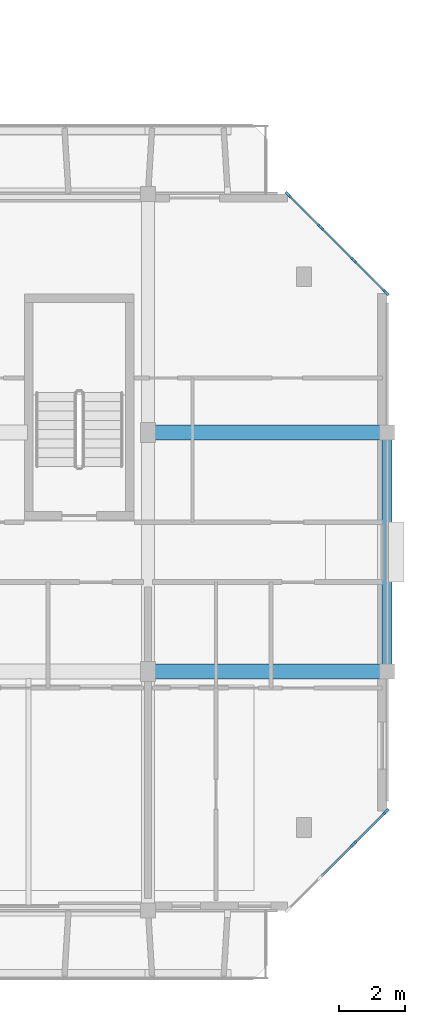
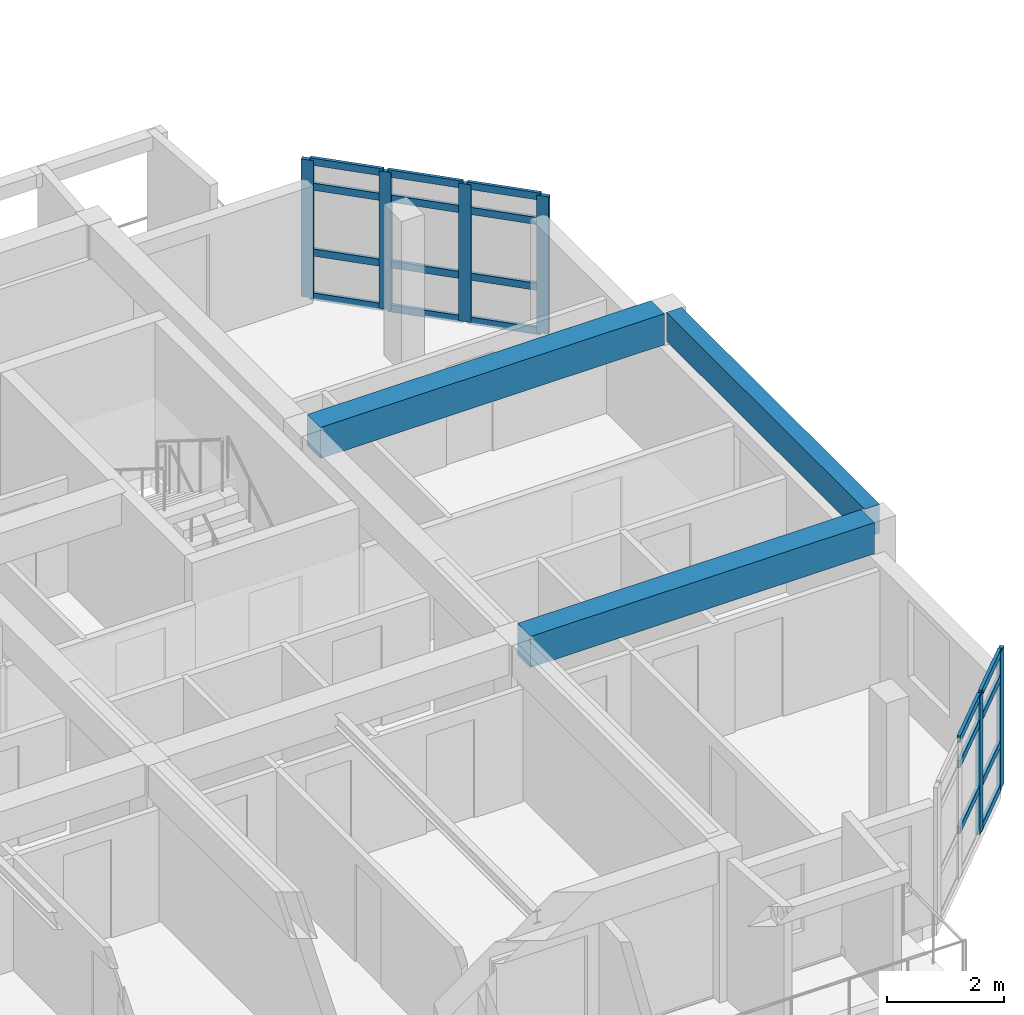
# One storey, part 6 of 30: 25 members, 3 beams, 2 elements without a shape of their own.
"""IFC4 building model written with IfcOpenShell, lengths in metres."""

import ifcopenshell
import ifcopenshell.guid

model = None  # the IFC model being written
_history = None  # IfcOwnerHistory: only IFC2X3 demands one
_inside = {}  # id of a spatial element -> (the spatial element, [elements in it])
_under = {}  # id of a project, library or spatial element -> (it, [spatial elements below it])
_declared = {}  # id of a project -> (the project, [libraries it declares])
_typed = {}  # id of a type object -> (the type object, [elements of that type])
_made_of = {}  # id of a material, layer set ... -> (it, [elements and type objects made of it])


def new_model(schema):
    """Start an empty IFC model of exactly this schema.

    Asked for "IFC4X3", IfcOpenShell would pick the latest addendum, in which some entities
    have other attributes; the version numbers below select the first issue.
    IFC2X3 requires an IfcOwnerHistory on every rooted entity: one is made here for all.
    """
    global model, _history
    if schema == "IFC4X3":
        model = ifcopenshell.file(schema_version=(4, 3, 0, 0))
    else:
        model = ifcopenshell.file(schema=schema)
    _inside.clear()
    _under.clear()
    _declared.clear()
    _typed.clear()
    _made_of.clear()
    _history = None
    if model.schema == "IFC2X3":
        org = make("IfcOrganization", Name="unknown")
        user = make(
            "IfcPersonAndOrganization",
            ThePerson=make("IfcPerson", FamilyName="unknown"),
            TheOrganization=org,
        )
        app = make(
            "IfcApplication",
            ApplicationDeveloper=org,
            Version="unknown",
            ApplicationFullName="unknown",
            ApplicationIdentifier="unknown",
        )
        _history = make(
            "IfcOwnerHistory",
            OwningUser=user,
            OwningApplication=app,
            ChangeAction="ADDED",
            CreationDate=0,
        )
    return model


def make(cls, **values):
    """One entity of the class cls with the attributes given. An attribute that is None is left unset."""
    return model.create_entity(
        cls, **{name: value for name, value in values.items() if value is not None}
    )


def rooted(cls, **values):
    """An entity with a GlobalId (a new one), such as an element, a storey or a relation."""
    return make(cls, GlobalId=ifcopenshell.guid.new(), OwnerHistory=_history, **values)


def si_unit(unit_type, name, prefix=None):
    """IfcSIUnit, for example si_unit("LENGTHUNIT", "METRE", prefix="MILLI")."""
    return make("IfcSIUnit", UnitType=unit_type, Prefix=prefix, Name=name)


def assignment(units):
    """IfcUnitAssignment: the units of a project."""
    return None if units is None else make("IfcUnitAssignment", Units=units)


def point(xyz):
    """IfcCartesianPoint."""
    return None if xyz is None else make("IfcCartesianPoint", Coordinates=xyz)


def direction(xyz):
    """IfcDirection."""
    return None if xyz is None else make("IfcDirection", DirectionRatios=xyz)


def frame(location, z_axis=None, x_axis=None):
    """IfcAxis2Placement3D, a coordinate frame: its origin and axes. An axis left out is left unset."""
    return make(
        "IfcAxis2Placement3D",
        Location=point(location),
        Axis=direction(z_axis),
        RefDirection=direction(x_axis),
    )


def frame_2d(location, x_axis=None):
    """IfcAxis2Placement2D, a coordinate frame in the plane: its origin and x axis."""
    return make(
        "IfcAxis2Placement2D", Location=point(location), RefDirection=direction(x_axis)
    )


def origin():
    """The frame at (0, 0, 0) with its axes left unset."""
    return frame((0.0, 0.0, 0.0))


def origin_2d():
    """The frame at (0, 0) in the plane with its x axis left unset."""
    return frame_2d((0.0, 0.0))


def place(relative_to, where):
    """IfcLocalPlacement: puts the frame where relative to a parent placement (None: the world)."""
    return make(
        "IfcLocalPlacement", PlacementRelTo=relative_to, RelativePlacement=where
    )


def context(
    kind, dimensions, precision=None, world=None, true_north=None, identifier=None
):
    """IfcGeometricRepresentationContext, for example the 3D "Model" context."""
    return make(
        "IfcGeometricRepresentationContext",
        ContextIdentifier=identifier,
        ContextType=kind,
        CoordinateSpaceDimension=dimensions,
        Precision=precision,
        WorldCoordinateSystem=world,
        TrueNorth=true_north,
    )


def subcontext(parent, identifier, kind, view, scale=None):
    """IfcGeometricRepresentationSubContext, for example "Body" below "Model"."""
    return make(
        "IfcGeometricRepresentationSubContext",
        ContextIdentifier=identifier,
        ContextType=kind,
        ParentContext=parent,
        TargetScale=scale,
        TargetView=view,
    )


def project(units=None, contexts=None):
    """IfcProject with its units and contexts."""
    return rooted(
        "IfcProject",
        Name="project",
        RepresentationContexts=contexts,
        UnitsInContext=assignment(units),
    )


def spatial(cls, under=None, at=None, **own):
    """A site, building, storey or space (cls), placed at a placement, below another one or the project."""
    s = rooted(cls, ObjectPlacement=at, **own)
    if under is not None:
        _under.setdefault(under.id(), (under, []))[1].append(s)
    return s


def profile(cls, at=None, kind="AREA", **sizes):
    """A parametric profile (cls). Its sizes go by their IFC names, for example OverallWidth=200.0."""
    return make(cls, ProfileType=kind, Position=at, **sizes)


def rectangle(**sizes):
    """IfcRectangleProfileDef."""
    return profile("IfcRectangleProfileDef", **sizes)


def extrude(swept, where, along, depth):
    """IfcExtrudedAreaSolid: the profile swept, set in the frame where, extruded along a direction by depth."""
    return make(
        "IfcExtrudedAreaSolid",
        SweptArea=swept,
        Position=where,
        ExtrudedDirection=direction(along),
        Depth=depth,
    )


def shape(context_of_items, identifier, shape_type, items):
    """IfcShapeRepresentation: the items that make up one representation, for example the "Body"."""
    return make(
        "IfcShapeRepresentation",
        ContextOfItems=context_of_items,
        RepresentationIdentifier=identifier,
        RepresentationType=shape_type,
        Items=items,
    )


def material(Name=None, Category=None):
    """IfcMaterial."""
    return make("IfcMaterial", Name=Name, Category=Category)


def layer(
    of_material, thickness, ventilated=None, Name=None, Category=None, Priority=None
):
    """IfcMaterialLayer: one layer of a wall or slab, of a material (None: an air gap)."""
    return make(
        "IfcMaterialLayer",
        Material=of_material,
        LayerThickness=thickness,
        IsVentilated=ventilated,
        Name=Name,
        Category=Category,
        Priority=Priority,
    )


def layer_set(layers, Name=None):
    """IfcMaterialLayerSet."""
    return make("IfcMaterialLayerSet", MaterialLayers=layers, LayerSetName=Name)


def material_profile(
    of_material, cross_section, Name=None, Category=None, Priority=None
):
    """IfcMaterialProfile: a cross section and its material."""
    return make(
        "IfcMaterialProfile",
        Name=Name,
        Material=of_material,
        Profile=cross_section,
        Priority=Priority,
        Category=Category,
    )


def profile_set(profiles, Name=None, composite=None):
    """IfcMaterialProfileSet."""
    return make(
        "IfcMaterialProfileSet",
        Name=Name,
        MaterialProfiles=profiles,
        CompositeProfile=composite,
    )


def made_of(thing, what):
    """Note that an element or type object is made of a material, layer set ...; save() writes the relation."""
    if what is not None:
        _made_of.setdefault(what.id(), (what, []))[1].append(thing)
    return thing


def type_object(cls, material=None, **own):
    """A type object (cls), such as IfcWallType, which elements share."""
    return made_of(rooted(cls, **own), material)


def element(
    cls,
    number,
    at=None,
    inside=None,
    cuts=None,
    type_object=None,
    material=None,
    context=None,
    identifier="Body",
    shape_type=None,
    held_by="IfcProductDefinitionShape",
    body=None,
    shapes=None,
    **own,
):
    """One element of the class cls, such as IfcWall. Its Tag is "e" and its number.

    at: its placement. inside: the storey or other place that contains it. cuts: it is an
    opening in that element (IfcRelVoidsElement). A single representation is given by context,
    identifier, shape_type and body (its items); several are given by shapes. held_by: the class
    of the entity that holds the representations. save() writes the other relations.
    """
    e = rooted(cls, Tag="e%d" % number, ObjectPlacement=at, **own)
    if body is not None:
        shapes = [shape(context, identifier, shape_type, body)]
    if shapes is not None:
        e.Representation = make(held_by, Representations=shapes)
    if inside is not None:
        _inside.setdefault(inside.id(), (inside, []))[1].append(e)
    if cuts is not None:
        rooted(
            "IfcRelVoidsElement", RelatingBuildingElement=cuts, RelatedOpeningElement=e
        )
    if type_object is not None:
        _typed.setdefault(type_object.id(), (type_object, []))[1].append(e)
    return made_of(e, material)


def aggregate(whole, parts):
    """IfcRelAggregates: a whole, such as a stair, and the parts it consists of."""
    return rooted("IfcRelAggregates", RelatingObject=whole, RelatedObjects=parts)


def save(model, path):
    """Write the relations noted so far, then the file.

    IfcRelAggregates (storeys below a building ...), IfcRelContainedInSpatialStructure (elements
    in a storey), IfcRelDefinesByType, IfcRelAssociatesMaterial and IfcRelDeclares: one each for
    every whole, place, type object, material and project.
    """
    for whole, parts in _under.values():
        aggregate(whole, parts)
    for where, things in _inside.values():
        rooted(
            "IfcRelContainedInSpatialStructure",
            RelatedElements=things,
            RelatingStructure=where,
        )
    for kind, things in _typed.values():
        rooted("IfcRelDefinesByType", RelatedObjects=things, RelatingType=kind)
    for what, things in _made_of.values():
        rooted("IfcRelAssociatesMaterial", RelatedObjects=things, RelatingMaterial=what)
    for by, libraries in _declared.values():
        rooted("IfcRelDeclares", RelatingContext=by, RelatedDefinitions=libraries)
    model.write(path)


model = new_model("IFC4")

# Units and contexts
model_context = context("Model", 3, precision=1e-05, world=origin(), true_north=direction((0.0, 1.0)))
body_context = subcontext(model_context, "Body", "Model", "MODEL_VIEW")
ifc_project = project(units=[si_unit("LENGTHUNIT", "METRE"), si_unit("AREAUNIT", "SQUARE_METRE"), si_unit("VOLUMEUNIT", "CUBIC_METRE"), si_unit("PLANEANGLEUNIT", "RADIAN"), si_unit("MASSUNIT", "GRAM", prefix="KILO")], contexts=[model_context])

# Site, building, storey
site_placement = place(None, origin())
site = spatial("IfcSite", under=ifc_project, at=site_placement, CompositionType="ELEMENT")
building_placement = place(site_placement, origin())
building = spatial("IfcBuilding", under=site, at=building_placement, Name="Ochrevale Crest", CompositionType="ELEMENT")
storey_placement = place(building_placement, frame((0.0, 0.0, 33.89990234375)))
storey = spatial("IfcBuildingStorey", under=building, at=storey_placement, Name="L10", CompositionType="ELEMENT", Elevation=33.89990234375)

# Beams
ifc_material_1 = material(Name="Concrete C50/60", Category="concrete")
ifc_material_profile_1 = material_profile(ifc_material_1, rectangle(XDim=0.449951171875, YDim=0.64990234375, at=origin_2d()), Name="RC 450x650")
ifc_profile_set_1 = profile_set([ifc_material_profile_1], Name="Concrete C50/60")
beam_type_1 = type_object("IfcBeamType", Name="BM-PG450x650", PredefinedType="USERDEFINED", material=ifc_profile_set_1)
for number, where, z_axis, x_axis, name in (
    (1, (158.60009765625, 21.60009765625, 2.8251953125), (1.0, 0.0, 0.0), (0.0, 1.0, 0.0), "Block C L10 E-W beam Y=21.6"),
    (2, (158.60009765625, 28.800048828125, 2.8251953125), (1.0, 0.0, 0.0), (0.0, 1.0, 0.0), "Block C L10 E-W beam Y=28.8"),
):
    element("IfcBeam", number, at=place(storey_placement, frame(where, z_axis=z_axis, x_axis=x_axis)), inside=storey, type_object=beam_type_1, Name=name, ObjectType="GIRDER", PredefinedType="USERDEFINED", context=body_context, shape_type="SweptSolid", body=[
        extrude(rectangle(XDim=0.449951171875, YDim=0.64990234375, at=origin_2d()), origin(), (0.0, 0.0, 1.0), 6.7998046875),
    ])
ifc_material_2 = material(Name="Precast concrete C40/50", Category="concrete")
ifc_material_profile_2 = material_profile(ifc_material_2, rectangle(XDim=0.300048828125, YDim=0.60009765625, at=origin_2d()), Name="PC 300x600")
ifc_profile_set_2 = profile_set([ifc_material_profile_2], Name="Precast concrete C40/50")
beam_type_2 = type_object("IfcBeamType", Name="BM-SP300x600", PredefinedType="SPANDREL", material=ifc_profile_set_2)
beam_placement = place(storey_placement, frame((165.60009765625, 21.804931640625, 2.85009765625), z_axis=(0.0, 1.0, 0.0), x_axis=(-1.0, 0.0, 0.0)))
element("IfcBeam", 3, at=beam_placement, inside=storey, type_object=beam_type_2, Name="Block C L10 N-S beam X=165.6", PredefinedType="SPANDREL", context=body_context, shape_type="SweptSolid", body=[
    extrude(rectangle(XDim=0.300048828125, YDim=0.60009765625, at=origin_2d()), origin(), (0.0, 0.0, 1.0), 6.7900390625),
])

# Curtain wall, members
ifc_material_3 = material(Name="Anodised aluminium 6063-T5", Category="aluminium")
ifc_layer_1 = layer(ifc_material_3, 0.14990234375)
ifc_layer_set_1 = layer_set([ifc_layer_1], Name="Anodised aluminium 6063-T5")
curtain_wall_type_1 = type_object("IfcCurtainWallType", Name="CW-WG-320x285", PredefinedType="NOTDEFINED", material=ifc_layer_set_1)
curtain_wall_1_placement = place(storey_placement, origin())
curtain_wall_1 = element("IfcCurtainWall", 4, at=curtain_wall_1_placement, inside=storey, type_object=curtain_wall_type_1, Name="Block C L10 chamfered corner wintergarden curtain wall 2", PredefinedType="NOTDEFINED")
ifc_material_profile_3 = material_profile(ifc_material_3, rectangle(XDim=0.074951171875, YDim=0.219970703125, at=origin_2d()), Name="ALU 75x220")
ifc_profile_set_3 = profile_set([ifc_material_profile_3], Name="Anodised aluminium 6063-T5")
member_type_1 = type_object("IfcMemberType", Name="CW-MUL-75x220", PredefinedType="MULLION", material=ifc_profile_set_3)
member_1_placement = place(storey_placement, frame((164.60009765625, 16.39990234375, 0.0), z_axis=(0.0, 0.0, 1.0), x_axis=(-0.707106781187, 0.707106781187, 0.0)))
member_1 = element("IfcMember", 5, at=member_1_placement, type_object=member_type_1, Name="CW17 mullion 3", PredefinedType="MULLION", context=body_context, shape_type="SweptSolid", body=[
    extrude(rectangle(XDim=0.074951171875, YDim=0.219970703125, at=origin_2d()), origin(), (0.0, 0.0, 1.0), 2.875),
])
member_2_placement = place(storey_placement, frame((165.573486328125, 17.37353515625, 0.0), z_axis=(0.0, 0.0, 1.0), x_axis=(-0.707106781187, 0.707106781187, 0.0)))
member_2 = element("IfcMember", 6, at=member_2_placement, type_object=member_type_1, Name="CW17 mullion 4", PredefinedType="MULLION", context=body_context, shape_type="SweptSolid", body=[
    extrude(rectangle(XDim=0.074951171875, YDim=0.219970703125, at=origin_2d()), origin(), (0.0, 0.0, 1.0), 2.875),
])

ifc_layer_2 = layer(ifc_material_3, 0.14990234375)
ifc_layer_set_2 = layer_set([ifc_layer_2], Name="Anodised aluminium 6063-T5")
curtain_wall_type_2 = type_object("IfcCurtainWallType", Name="CW-WG-420x285", PredefinedType="NOTDEFINED", material=ifc_layer_set_2)
curtain_wall_2_placement = place(storey_placement, origin())
curtain_wall_2 = element("IfcCurtainWall", 7, at=curtain_wall_2_placement, inside=storey, type_object=curtain_wall_type_2, Name="Block C L10 chamfered corner wintergarden curtain wall 4", PredefinedType="NOTDEFINED")
member_3_placement = place(storey_placement, frame((165.573486328125, 33.026611328125, 0.0), z_axis=(0.0, 0.0, 1.0), x_axis=(-0.707106781187, -0.707106781187, 0.0)))
member_3 = element("IfcMember", 8, at=member_3_placement, type_object=member_type_1, Name="CW22 mullion 1", PredefinedType="MULLION", context=body_context, shape_type="SweptSolid", body=[
    extrude(rectangle(XDim=0.074951171875, YDim=0.219970703125, at=origin_2d()), origin(), (0.0, 0.0, 1.0), 2.875),
])
member_4_placement = place(storey_placement, frame((164.60009765625, 34.0, 0.0), z_axis=(0.0, 0.0, 1.0), x_axis=(-0.707106781187, -0.707106781187, 0.0)))
member_4 = element("IfcMember", 9, at=member_4_placement, type_object=member_type_1, Name="CW22 mullion 2", PredefinedType="MULLION", context=body_context, shape_type="SweptSolid", body=[
    extrude(rectangle(XDim=0.074951171875, YDim=0.219970703125, at=origin_2d()), origin(), (0.0, 0.0, 1.0), 2.875),
])
member_5_placement = place(storey_placement, frame((163.60009765625, 35.0, 0.0), z_axis=(0.0, 0.0, 1.0), x_axis=(-0.707106781187, -0.707106781187, 0.0)))
member_5 = element("IfcMember", 10, at=member_5_placement, type_object=member_type_1, Name="CW22 mullion 3", PredefinedType="MULLION", context=body_context, shape_type="SweptSolid", body=[
    extrude(rectangle(XDim=0.074951171875, YDim=0.219970703125, at=origin_2d()), origin(), (0.0, 0.0, 1.0), 2.875),
])
member_6_placement = place(storey_placement, frame((162.62646484375, 35.973388671875, 0.0), z_axis=(0.0, 0.0, 1.0), x_axis=(-0.707106781187, -0.707106781187, 0.0)))
member_6 = element("IfcMember", 11, at=member_6_placement, type_object=member_type_1, Name="CW22 mullion 4", PredefinedType="MULLION", context=body_context, shape_type="SweptSolid", body=[
    extrude(rectangle(XDim=0.074951171875, YDim=0.219970703125, at=origin_2d()), origin(), (0.0, 0.0, 1.0), 2.875),
])

# Member
ifc_material_profile_4 = material_profile(ifc_material_3, rectangle(XDim=0.06005859375, YDim=0.14990234375, at=origin_2d()), Name="ALU 60x150")
ifc_profile_set_4 = profile_set([ifc_material_profile_4], Name="Anodised aluminium 6063-T5")
member_type_2 = type_object("IfcMemberType", Name="CW-TRN-60x150", PredefinedType="USERDEFINED", material=ifc_profile_set_4)
member_7_placement = place(storey_placement, frame((163.62646484375, 15.426513671875, 0.9501953125), z_axis=(0.707106781187, 0.707106781187, 0.0), x_axis=(-0.707106781187, 0.707106781187, 0.0)))
member_7 = element("IfcMember", 12, at=member_7_placement, type_object=member_type_2, Name="CW17 transom 2.2", ObjectType="TRANSOM", PredefinedType="USERDEFINED", context=body_context, shape_type="SweptSolid", body=[
    extrude(rectangle(XDim=0.06005859375, YDim=0.14990234375, at=origin_2d()), origin(), (0.0, 0.0, 1.0), 1.33935546875),
])

member_8_placement = place(storey_placement, frame((163.62646484375, 15.426513671875, 2.3251953125), z_axis=(0.707106781187, 0.707106781187, 0.0), x_axis=(-0.707106781187, 0.707106781187, 0.0)))
member_8 = element("IfcMember", 13, at=member_8_placement, type_object=member_type_2, Name="CW17 transom 2.3", ObjectType="TRANSOM", PredefinedType="USERDEFINED", context=body_context, shape_type="SweptSolid", body=[
    extrude(rectangle(XDim=0.06005859375, YDim=0.14990234375, at=origin_2d()), origin(), (0.0, 0.0, 1.0), 1.33935546875),
])

member_9_placement = place(storey_placement, frame((163.62646484375, 15.426513671875, 2.84521484375), z_axis=(0.707106781187, 0.707106781187, 0.0), x_axis=(-0.707106781187, 0.707106781187, 0.0)))
member_9 = element("IfcMember", 14, at=member_9_placement, type_object=member_type_2, Name="CW17 transom 2.4", ObjectType="TRANSOM", PredefinedType="USERDEFINED", context=body_context, shape_type="SweptSolid", body=[
    extrude(rectangle(XDim=0.06005859375, YDim=0.14990234375, at=origin_2d()), origin(), (0.0, 0.0, 1.0), 1.33935546875),
])

member_10_placement = place(storey_placement, frame((164.62646484375, 16.426513671875, 0.030029296875), z_axis=(0.707106781187, 0.707106781187, 0.0), x_axis=(-0.707106781187, 0.707106781187, 0.0)))
member_10 = element("IfcMember", 15, at=member_10_placement, type_object=member_type_2, Name="CW17 transom 3.1", ObjectType="TRANSOM", PredefinedType="USERDEFINED", context=body_context, shape_type="SweptSolid", body=[
    extrude(rectangle(XDim=0.06005859375, YDim=0.14990234375, at=origin_2d()), origin(), (0.0, 0.0, 1.0), 1.3017578125),
])

member_11_placement = place(storey_placement, frame((164.62646484375, 16.426513671875, 0.9501953125), z_axis=(0.707106781187, 0.707106781187, 0.0), x_axis=(-0.707106781187, 0.707106781187, 0.0)))
member_11 = element("IfcMember", 16, at=member_11_placement, type_object=member_type_2, Name="CW17 transom 3.2", ObjectType="TRANSOM", PredefinedType="USERDEFINED", context=body_context, shape_type="SweptSolid", body=[
    extrude(rectangle(XDim=0.06005859375, YDim=0.14990234375, at=origin_2d()), origin(), (0.0, 0.0, 1.0), 1.3017578125),
])

member_12_placement = place(storey_placement, frame((164.62646484375, 16.426513671875, 2.3251953125), z_axis=(0.707106781187, 0.707106781187, 0.0), x_axis=(-0.707106781187, 0.707106781187, 0.0)))
member_12 = element("IfcMember", 17, at=member_12_placement, type_object=member_type_2, Name="CW17 transom 3.3", ObjectType="TRANSOM", PredefinedType="USERDEFINED", context=body_context, shape_type="SweptSolid", body=[
    extrude(rectangle(XDim=0.06005859375, YDim=0.14990234375, at=origin_2d()), origin(), (0.0, 0.0, 1.0), 1.3017578125),
])

member_13_placement = place(storey_placement, frame((164.62646484375, 16.426513671875, 2.84521484375), z_axis=(0.707106781187, 0.707106781187, 0.0), x_axis=(-0.707106781187, 0.707106781187, 0.0)))
member_13 = element("IfcMember", 18, at=member_13_placement, type_object=member_type_2, Name="CW17 transom 3.4", ObjectType="TRANSOM", PredefinedType="USERDEFINED", context=body_context, shape_type="SweptSolid", body=[
    extrude(rectangle(XDim=0.06005859375, YDim=0.14990234375, at=origin_2d()), origin(), (0.0, 0.0, 1.0), 1.3017578125),
])

aggregate(curtain_wall_1, [member_1, member_2, member_7, member_8, member_9, member_10, member_11, member_12, member_13])

member_14_placement = place(storey_placement, frame((165.546875, 33.052978515625, 0.030029296875), z_axis=(-0.707106781187, 0.707106781187, 0.0), x_axis=(-0.707106781187, -0.707106781187, 0.0)))
member_14 = element("IfcMember", 19, at=member_14_placement, type_object=member_type_2, Name="CW22 transom 1.1", ObjectType="TRANSOM", PredefinedType="USERDEFINED", context=body_context, shape_type="SweptSolid", body=[
    extrude(rectangle(XDim=0.06005859375, YDim=0.14990234375, at=origin_2d()), origin(), (0.0, 0.0, 1.0), 1.3017578125),
])

member_15_placement = place(storey_placement, frame((165.546875, 33.052978515625, 0.9501953125), z_axis=(-0.707106781187, 0.707106781187, 0.0), x_axis=(-0.707106781187, -0.707106781187, 0.0)))
member_15 = element("IfcMember", 20, at=member_15_placement, type_object=member_type_2, Name="CW22 transom 1.2", ObjectType="TRANSOM", PredefinedType="USERDEFINED", context=body_context, shape_type="SweptSolid", body=[
    extrude(rectangle(XDim=0.06005859375, YDim=0.14990234375, at=origin_2d()), origin(), (0.0, 0.0, 1.0), 1.3017578125),
])

member_16_placement = place(storey_placement, frame((165.546875, 33.052978515625, 2.3251953125), z_axis=(-0.707106781187, 0.707106781187, 0.0), x_axis=(-0.707106781187, -0.707106781187, 0.0)))
member_16 = element("IfcMember", 21, at=member_16_placement, type_object=member_type_2, Name="CW22 transom 1.3", ObjectType="TRANSOM", PredefinedType="USERDEFINED", context=body_context, shape_type="SweptSolid", body=[
    extrude(rectangle(XDim=0.06005859375, YDim=0.14990234375, at=origin_2d()), origin(), (0.0, 0.0, 1.0), 1.3017578125),
])

member_17_placement = place(storey_placement, frame((165.546875, 33.052978515625, 2.84521484375), z_axis=(-0.707106781187, 0.707106781187, 0.0), x_axis=(-0.707106781187, -0.707106781187, 0.0)))
member_17 = element("IfcMember", 22, at=member_17_placement, type_object=member_type_2, Name="CW22 transom 1.4", ObjectType="TRANSOM", PredefinedType="USERDEFINED", context=body_context, shape_type="SweptSolid", body=[
    extrude(rectangle(XDim=0.06005859375, YDim=0.14990234375, at=origin_2d()), origin(), (0.0, 0.0, 1.0), 1.3017578125),
])

member_18_placement = place(storey_placement, frame((164.573486328125, 34.026611328125, 0.030029296875), z_axis=(-0.707197932559, 0.707015618062, 0.0), x_axis=(-0.707015618062, -0.707197932559, 0.0)))
member_18 = element("IfcMember", 23, at=member_18_placement, type_object=member_type_2, Name="CW22 transom 2.1", ObjectType="TRANSOM", PredefinedType="USERDEFINED", context=body_context, shape_type="SweptSolid", body=[
    extrude(rectangle(XDim=0.06005859375, YDim=0.14990234375, at=origin_2d()), origin(), (0.0, 0.0, 1.0), 1.339111328125),
])

member_19_placement = place(storey_placement, frame((164.573486328125, 34.026611328125, 0.9501953125), z_axis=(-0.707197932559, 0.707015618062, 0.0), x_axis=(-0.707015618062, -0.707197932559, 0.0)))
member_19 = element("IfcMember", 24, at=member_19_placement, type_object=member_type_2, Name="CW22 transom 2.2", ObjectType="TRANSOM", PredefinedType="USERDEFINED", context=body_context, shape_type="SweptSolid", body=[
    extrude(rectangle(XDim=0.06005859375, YDim=0.14990234375, at=origin_2d()), origin(), (0.0, 0.0, 1.0), 1.339111328125),
])

member_20_placement = place(storey_placement, frame((164.573486328125, 34.026611328125, 2.3251953125), z_axis=(-0.707197932559, 0.707015618062, 0.0), x_axis=(-0.707015618062, -0.707197932559, 0.0)))
member_20 = element("IfcMember", 25, at=member_20_placement, type_object=member_type_2, Name="CW22 transom 2.3", ObjectType="TRANSOM", PredefinedType="USERDEFINED", context=body_context, shape_type="SweptSolid", body=[
    extrude(rectangle(XDim=0.06005859375, YDim=0.14990234375, at=origin_2d()), origin(), (0.0, 0.0, 1.0), 1.339111328125),
])

member_21_placement = place(storey_placement, frame((164.573486328125, 34.026611328125, 2.84521484375), z_axis=(-0.707197932559, 0.707015618062, 0.0), x_axis=(-0.707015618062, -0.707197932559, 0.0)))
member_21 = element("IfcMember", 26, at=member_21_placement, type_object=member_type_2, Name="CW22 transom 2.4", ObjectType="TRANSOM", PredefinedType="USERDEFINED", context=body_context, shape_type="SweptSolid", body=[
    extrude(rectangle(XDim=0.06005859375, YDim=0.14990234375, at=origin_2d()), origin(), (0.0, 0.0, 1.0), 1.339111328125),
])

member_22_placement = place(storey_placement, frame((163.573486328125, 35.026611328125, 0.030029296875), z_axis=(-0.707106781187, 0.707106781187, 0.0), x_axis=(-0.707106781187, -0.707106781187, 0.0)))
member_22 = element("IfcMember", 27, at=member_22_placement, type_object=member_type_2, Name="CW22 transom 3.1", ObjectType="TRANSOM", PredefinedType="USERDEFINED", context=body_context, shape_type="SweptSolid", body=[
    extrude(rectangle(XDim=0.06005859375, YDim=0.14990234375, at=origin_2d()), origin(), (0.0, 0.0, 1.0), 1.3017578125),
])

member_23_placement = place(storey_placement, frame((163.573486328125, 35.026611328125, 0.9501953125), z_axis=(-0.707106781187, 0.707106781187, 0.0), x_axis=(-0.707106781187, -0.707106781187, 0.0)))
member_23 = element("IfcMember", 28, at=member_23_placement, type_object=member_type_2, Name="CW22 transom 3.2", ObjectType="TRANSOM", PredefinedType="USERDEFINED", context=body_context, shape_type="SweptSolid", body=[
    extrude(rectangle(XDim=0.06005859375, YDim=0.14990234375, at=origin_2d()), origin(), (0.0, 0.0, 1.0), 1.3017578125),
])

member_24_placement = place(storey_placement, frame((163.573486328125, 35.026611328125, 2.3251953125), z_axis=(-0.707106781187, 0.707106781187, 0.0), x_axis=(-0.707106781187, -0.707106781187, 0.0)))
member_24 = element("IfcMember", 29, at=member_24_placement, type_object=member_type_2, Name="CW22 transom 3.3", ObjectType="TRANSOM", PredefinedType="USERDEFINED", context=body_context, shape_type="SweptSolid", body=[
    extrude(rectangle(XDim=0.06005859375, YDim=0.14990234375, at=origin_2d()), origin(), (0.0, 0.0, 1.0), 1.3017578125),
])

member_25_placement = place(storey_placement, frame((163.573486328125, 35.026611328125, 2.84521484375), z_axis=(-0.707106781187, 0.707106781187, 0.0), x_axis=(-0.707106781187, -0.707106781187, 0.0)))
member_25 = element("IfcMember", 30, at=member_25_placement, type_object=member_type_2, Name="CW22 transom 3.4", ObjectType="TRANSOM", PredefinedType="USERDEFINED", context=body_context, shape_type="SweptSolid", body=[
    extrude(rectangle(XDim=0.06005859375, YDim=0.14990234375, at=origin_2d()), origin(), (0.0, 0.0, 1.0), 1.3017578125),
])

aggregate(curtain_wall_2, [member_3, member_4, member_5, member_6, member_14, member_15, member_16, member_17, member_18, member_19, member_20, member_21, member_22, member_23, member_24, member_25])

save(model, "model.ifc")
